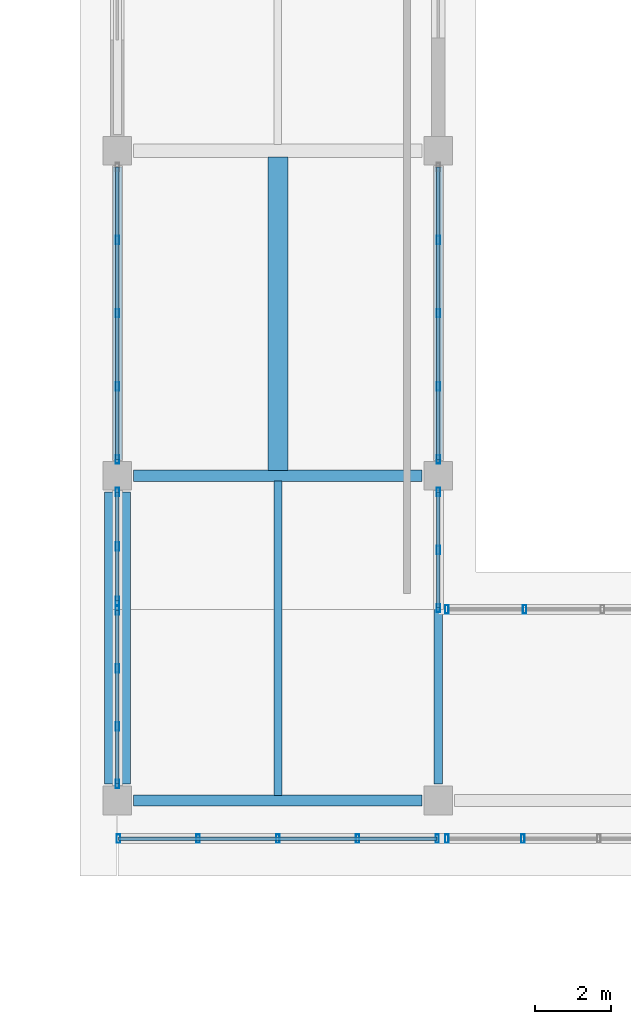
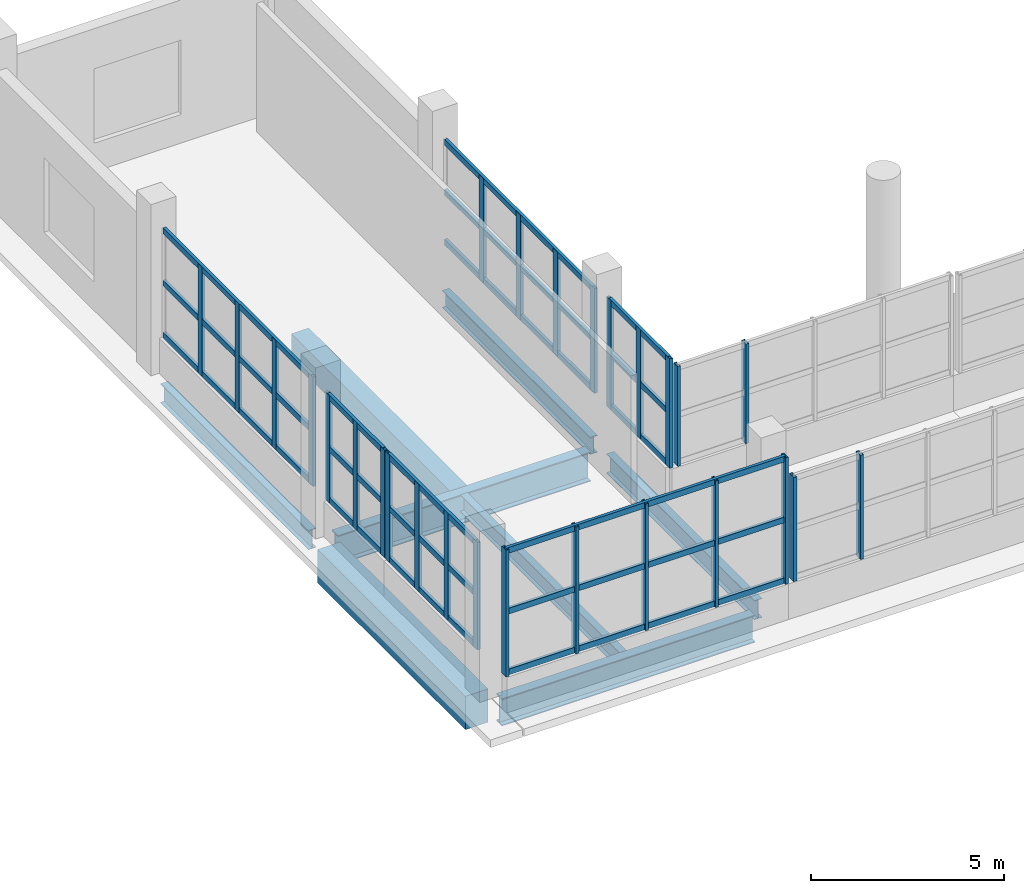
# One storey, part 44 of 107: 45 members, 8 beams, 8 elements without a shape of their own.
"""IFC4 building model written with IfcOpenShell, lengths in metres."""

import ifcopenshell
import ifcopenshell.guid

model = None  # the IFC model being written
_history = None  # IfcOwnerHistory: only IFC2X3 demands one
_inside = {}  # id of a spatial element -> (the spatial element, [elements in it])
_under = {}  # id of a project, library or spatial element -> (it, [spatial elements below it])
_declared = {}  # id of a project -> (the project, [libraries it declares])
_typed = {}  # id of a type object -> (the type object, [elements of that type])
_made_of = {}  # id of a material, layer set ... -> (it, [elements and type objects made of it])


def new_model(schema):
    """Start an empty IFC model of exactly this schema.

    Asked for "IFC4X3", IfcOpenShell would pick the latest addendum, in which some entities
    have other attributes; the version numbers below select the first issue.
    IFC2X3 requires an IfcOwnerHistory on every rooted entity: one is made here for all.
    """
    global model, _history
    if schema == "IFC4X3":
        model = ifcopenshell.file(schema_version=(4, 3, 0, 0))
    else:
        model = ifcopenshell.file(schema=schema)
    _inside.clear()
    _under.clear()
    _declared.clear()
    _typed.clear()
    _made_of.clear()
    _history = None
    if model.schema == "IFC2X3":
        org = make("IfcOrganization", Name="unknown")
        user = make(
            "IfcPersonAndOrganization",
            ThePerson=make("IfcPerson", FamilyName="unknown"),
            TheOrganization=org,
        )
        app = make(
            "IfcApplication",
            ApplicationDeveloper=org,
            Version="unknown",
            ApplicationFullName="unknown",
            ApplicationIdentifier="unknown",
        )
        _history = make(
            "IfcOwnerHistory",
            OwningUser=user,
            OwningApplication=app,
            ChangeAction="ADDED",
            CreationDate=0,
        )
    return model


def make(cls, **values):
    """One entity of the class cls with the attributes given. An attribute that is None is left unset."""
    return model.create_entity(
        cls, **{name: value for name, value in values.items() if value is not None}
    )


def rooted(cls, **values):
    """An entity with a GlobalId (a new one), such as an element, a storey or a relation."""
    return make(cls, GlobalId=ifcopenshell.guid.new(), OwnerHistory=_history, **values)


def si_unit(unit_type, name, prefix=None):
    """IfcSIUnit, for example si_unit("LENGTHUNIT", "METRE", prefix="MILLI")."""
    return make("IfcSIUnit", UnitType=unit_type, Prefix=prefix, Name=name)


def assignment(units):
    """IfcUnitAssignment: the units of a project."""
    return None if units is None else make("IfcUnitAssignment", Units=units)


def point(xyz):
    """IfcCartesianPoint."""
    return None if xyz is None else make("IfcCartesianPoint", Coordinates=xyz)


def direction(xyz):
    """IfcDirection."""
    return None if xyz is None else make("IfcDirection", DirectionRatios=xyz)


def frame(location, z_axis=None, x_axis=None):
    """IfcAxis2Placement3D, a coordinate frame: its origin and axes. An axis left out is left unset."""
    return make(
        "IfcAxis2Placement3D",
        Location=point(location),
        Axis=direction(z_axis),
        RefDirection=direction(x_axis),
    )


def frame_2d(location, x_axis=None):
    """IfcAxis2Placement2D, a coordinate frame in the plane: its origin and x axis."""
    return make(
        "IfcAxis2Placement2D", Location=point(location), RefDirection=direction(x_axis)
    )


def origin():
    """The frame at (0, 0, 0) with its axes left unset."""
    return frame((0.0, 0.0, 0.0))


def origin_2d():
    """The frame at (0, 0) in the plane with its x axis left unset."""
    return frame_2d((0.0, 0.0))


def place(relative_to, where):
    """IfcLocalPlacement: puts the frame where relative to a parent placement (None: the world)."""
    return make(
        "IfcLocalPlacement", PlacementRelTo=relative_to, RelativePlacement=where
    )


def context(
    kind, dimensions, precision=None, world=None, true_north=None, identifier=None
):
    """IfcGeometricRepresentationContext, for example the 3D "Model" context."""
    return make(
        "IfcGeometricRepresentationContext",
        ContextIdentifier=identifier,
        ContextType=kind,
        CoordinateSpaceDimension=dimensions,
        Precision=precision,
        WorldCoordinateSystem=world,
        TrueNorth=true_north,
    )


def subcontext(parent, identifier, kind, view, scale=None):
    """IfcGeometricRepresentationSubContext, for example "Body" below "Model"."""
    return make(
        "IfcGeometricRepresentationSubContext",
        ContextIdentifier=identifier,
        ContextType=kind,
        ParentContext=parent,
        TargetScale=scale,
        TargetView=view,
    )


def project(units=None, contexts=None):
    """IfcProject with its units and contexts."""
    return rooted(
        "IfcProject",
        Name="project",
        RepresentationContexts=contexts,
        UnitsInContext=assignment(units),
    )


def spatial(cls, under=None, at=None, **own):
    """A site, building, storey or space (cls), placed at a placement, below another one or the project."""
    s = rooted(cls, ObjectPlacement=at, **own)
    if under is not None:
        _under.setdefault(under.id(), (under, []))[1].append(s)
    return s


def profile(cls, at=None, kind="AREA", **sizes):
    """A parametric profile (cls). Its sizes go by their IFC names, for example OverallWidth=200.0."""
    return make(cls, ProfileType=kind, Position=at, **sizes)


def rectangle(**sizes):
    """IfcRectangleProfileDef."""
    return profile("IfcRectangleProfileDef", **sizes)


def hollow_rectangle(**sizes):
    """IfcRectangleHollowProfileDef."""
    return profile("IfcRectangleHollowProfileDef", **sizes)


def i_section(**sizes):
    """IfcIShapeProfileDef."""
    return profile("IfcIShapeProfileDef", **sizes)


def extrude(swept, where, along, depth):
    """IfcExtrudedAreaSolid: the profile swept, set in the frame where, extruded along a direction by depth."""
    return make(
        "IfcExtrudedAreaSolid",
        SweptArea=swept,
        Position=where,
        ExtrudedDirection=direction(along),
        Depth=depth,
    )


def shape(context_of_items, identifier, shape_type, items):
    """IfcShapeRepresentation: the items that make up one representation, for example the "Body"."""
    return make(
        "IfcShapeRepresentation",
        ContextOfItems=context_of_items,
        RepresentationIdentifier=identifier,
        RepresentationType=shape_type,
        Items=items,
    )


def material(Name=None, Category=None):
    """IfcMaterial."""
    return make("IfcMaterial", Name=Name, Category=Category)


def material_profile(
    of_material, cross_section, Name=None, Category=None, Priority=None
):
    """IfcMaterialProfile: a cross section and its material."""
    return make(
        "IfcMaterialProfile",
        Name=Name,
        Material=of_material,
        Profile=cross_section,
        Priority=Priority,
        Category=Category,
    )


def profile_set(profiles, Name=None, composite=None):
    """IfcMaterialProfileSet."""
    return make(
        "IfcMaterialProfileSet",
        Name=Name,
        MaterialProfiles=profiles,
        CompositeProfile=composite,
    )


def made_of(thing, what):
    """Note that an element or type object is made of a material, layer set ...; save() writes the relation."""
    if what is not None:
        _made_of.setdefault(what.id(), (what, []))[1].append(thing)
    return thing


def type_object(cls, material=None, **own):
    """A type object (cls), such as IfcWallType, which elements share."""
    return made_of(rooted(cls, **own), material)


def element(
    cls,
    number,
    at=None,
    inside=None,
    cuts=None,
    type_object=None,
    material=None,
    context=None,
    identifier="Body",
    shape_type=None,
    held_by="IfcProductDefinitionShape",
    body=None,
    shapes=None,
    **own,
):
    """One element of the class cls, such as IfcWall. Its Tag is "e" and its number.

    at: its placement. inside: the storey or other place that contains it. cuts: it is an
    opening in that element (IfcRelVoidsElement). A single representation is given by context,
    identifier, shape_type and body (its items); several are given by shapes. held_by: the class
    of the entity that holds the representations. save() writes the other relations.
    """
    e = rooted(cls, Tag="e%d" % number, ObjectPlacement=at, **own)
    if body is not None:
        shapes = [shape(context, identifier, shape_type, body)]
    if shapes is not None:
        e.Representation = make(held_by, Representations=shapes)
    if inside is not None:
        _inside.setdefault(inside.id(), (inside, []))[1].append(e)
    if cuts is not None:
        rooted(
            "IfcRelVoidsElement", RelatingBuildingElement=cuts, RelatedOpeningElement=e
        )
    if type_object is not None:
        _typed.setdefault(type_object.id(), (type_object, []))[1].append(e)
    return made_of(e, material)


def aggregate(whole, parts):
    """IfcRelAggregates: a whole, such as a stair, and the parts it consists of."""
    return rooted("IfcRelAggregates", RelatingObject=whole, RelatedObjects=parts)


def save(model, path):
    """Write the relations noted so far, then the file.

    IfcRelAggregates (storeys below a building ...), IfcRelContainedInSpatialStructure (elements
    in a storey), IfcRelDefinesByType, IfcRelAssociatesMaterial and IfcRelDeclares: one each for
    every whole, place, type object, material and project.
    """
    for whole, parts in _under.values():
        aggregate(whole, parts)
    for where, things in _inside.values():
        rooted(
            "IfcRelContainedInSpatialStructure",
            RelatedElements=things,
            RelatingStructure=where,
        )
    for kind, things in _typed.values():
        rooted("IfcRelDefinesByType", RelatedObjects=things, RelatingType=kind)
    for what, things in _made_of.values():
        rooted("IfcRelAssociatesMaterial", RelatedObjects=things, RelatingMaterial=what)
    for by, libraries in _declared.values():
        rooted("IfcRelDeclares", RelatingContext=by, RelatedDefinitions=libraries)
    model.write(path)


model = new_model("IFC4")

# Units and contexts
model_context = context("Model", 3, precision=1e-05, world=origin(), true_north=direction((0.0, 1.0)))
body_context = subcontext(model_context, "Body", "Model", "MODEL_VIEW")
ifc_project = project(units=[si_unit("LENGTHUNIT", "METRE"), si_unit("AREAUNIT", "SQUARE_METRE"), si_unit("VOLUMEUNIT", "CUBIC_METRE"), si_unit("PLANEANGLEUNIT", "RADIAN"), si_unit("MASSUNIT", "GRAM", prefix="KILO")], contexts=[model_context])

# Site, building, storey
site_placement = place(None, origin())
site = spatial("IfcSite", under=ifc_project, at=site_placement, CompositionType="ELEMENT")
building_placement = place(site_placement, origin())
building = spatial("IfcBuilding", under=site, at=building_placement, Name="Solvento Point Concert Hall", CompositionType="ELEMENT")
storey_placement = place(building_placement, origin())
storey = spatial("IfcBuildingStorey", under=building, at=storey_placement, Name="L00", CompositionType="ELEMENT", Elevation=0.0)

# Beams
ifc_material_1 = material(Name="Concrete C35/45", Category="concrete")
ifc_material_profile_1 = material_profile(ifc_material_1, rectangle(XDim=0.52001953125, YDim=0.840087890625, at=origin_2d()), Name="RC-BM-520X840")
ifc_profile_set_1 = profile_set([ifc_material_profile_1], Name="Concrete C35/45")
beam_type_1 = type_object("IfcBeamType", Name="Beam_RC_520x840", PredefinedType="BEAM", material=ifc_profile_set_1)
beam_1_placement = place(storey_placement, frame((137.39990234375, 25.638671875, -0.72412109375), z_axis=(0.0, 1.0, 0.0), x_axis=(-1.0, 0.0, 0.0)))
element("IfcBeam", 1, at=beam_1_placement, inside=storey, type_object=beam_type_1, Name="Secondary floor joist B-54 L00", PredefinedType="BEAM", context=body_context, shape_type="SweptSolid", body=[
    extrude(rectangle(XDim=0.52001953125, YDim=0.840087890625, at=origin_2d()), origin(), (0.0, 0.0, 1.0), 8.19580078125),
])
ifc_material_2 = material(Name="Structural Steel ASTM A992 Grade 50", Category="steel")
ifc_material_profile_2 = material_profile(ifc_material_2, i_section(OverallWidth=0.20947265625, OverallDepth=0.532958984375, WebThickness=0.01025390625, FlangeThickness=0.015625, at=origin_2d()), Name="W21X62")
ifc_profile_set_2 = profile_set([ifc_material_profile_2], Name="Structural Steel ASTM A992 Grade 50")
beam_type_2 = type_object("IfcBeamType", Name="Beam_W21X62", PredefinedType="BEAM", material=ifc_profile_set_2)
beam_2_placement = place(storey_placement, frame((137.39990234375, 17.131103515625, -0.570556640625), z_axis=(0.0, 1.0, 0.0), x_axis=(-1.0, 0.0, 0.0)))
element("IfcBeam", 2, at=beam_2_placement, inside=storey, type_object=beam_type_2, Name="Secondary floor joist B-25 L00", PredefinedType="BEAM", context=body_context, shape_type="SweptSolid", body=[
    extrude(i_section(OverallWidth=0.20947265625, OverallDepth=0.532958984375, WebThickness=0.01025390625, FlangeThickness=0.015625, at=origin_2d()), origin(), (0.0, 0.0, 1.0), 8.230224609375),
])
ifc_material_3 = material(Name="Structural Steel ASTM A992 Grade 50", Category="steel")
ifc_material_profile_3 = material_profile(ifc_material_3, i_section(OverallWidth=0.214111328125, OverallDepth=0.549072265625, WebThickness=0.0146484375, FlangeThickness=0.023681640625, at=origin_2d()), Name="W21X93")
ifc_profile_set_3 = profile_set([ifc_material_profile_3], Name="Structural Steel ASTM A992 Grade 50")
beam_type_3 = type_object("IfcBeamType", Name="Beam_W21X93", PredefinedType="BEAM", material=ifc_profile_set_3)
beam_3_placement = place(storey_placement, frame((141.60009765625, 25.924072265625, -0.57861328125), z_axis=(0.0, 1.0, 0.0), x_axis=(-1.0, 0.0, 0.0)))
element("IfcBeam", 3, at=beam_3_placement, inside=storey, type_object=beam_type_3, Name="Primary girder B-48 L00", PredefinedType="BEAM", context=body_context, shape_type="SweptSolid", body=[
    extrude(i_section(OverallWidth=0.214111328125, OverallDepth=0.549072265625, WebThickness=0.0146484375, FlangeThickness=0.023681640625, at=origin_2d()), origin(), (0.0, 0.0, 1.0), 7.65185546875),
])
ifc_material_4 = material(Name="Structural Steel ASTM A992 Grade 50", Category="steel")
ifc_material_profile_4 = material_profile(ifc_material_4, i_section(OverallWidth=0.228515625, OverallDepth=0.60791015625, WebThickness=0.01123046875, FlangeThickness=0.017333984375, at=origin_2d()), Name="W24X76")
ifc_profile_set_4 = profile_set([ifc_material_profile_4], Name="Structural Steel ASTM A992 Grade 50")
beam_type_4 = type_object("IfcBeamType", Name="Beam_W24X76", PredefinedType="BEAM", material=ifc_profile_set_4)
for number, where, z_axis, x_axis, name in (
    (4, (133.199951171875, 25.924072265625, -0.60791015625), (0.0, 1.0, 0.0), (-1.0, 0.0, 0.0), "Primary girder B-42 L00"),
    (5, (141.60009765625, 17.424072265625, -0.60791015625), (0.0, 1.0, 0.0), (-1.0, 0.0, 0.0), "Primary girder B-42 L00"),
):
    element("IfcBeam", number, at=place(storey_placement, frame(where, z_axis=z_axis, x_axis=x_axis)), inside=storey, type_object=beam_type_4, Name=name, PredefinedType="BEAM", context=body_context, shape_type="SweptSolid", body=[
        extrude(i_section(OverallWidth=0.228515625, OverallDepth=0.60791015625, WebThickness=0.01123046875, FlangeThickness=0.017333984375, at=origin_2d()), origin(), (0.0, 0.0, 1.0), 7.65185546875),
    ])
ifc_material_5 = material(Name="Concrete C35/45", Category="concrete")
ifc_material_profile_5 = material_profile(ifc_material_5, rectangle(XDim=0.679931640625, YDim=1.050048828125, at=origin_2d()), Name="RC-BM-680X1050")
ifc_profile_set_5 = profile_set([ifc_material_profile_5], Name="Concrete C35/45")
beam_type_5 = type_object("IfcBeamType", Name="Girder_RC_680x1050", PredefinedType="USERDEFINED", material=ifc_profile_set_5)
beam_4_placement = place(storey_placement, frame((133.199951171875, 17.424072265625, -0.8291015625), z_axis=(0.0, 1.0, 0.0), x_axis=(-1.0, 0.0, 0.0)))
element("IfcBeam", 6, at=beam_4_placement, inside=storey, type_object=beam_type_5, Name="Primary girder B-91 L00", ObjectType="GIRDER", PredefinedType="USERDEFINED", context=body_context, shape_type="SweptSolid", body=[
    extrude(rectangle(XDim=0.679931640625, YDim=1.050048828125, at=origin_2d()), origin(), (0.0, 0.0, 1.0), 7.65185546875),
])
ifc_material_6 = material(Name="Structural Steel ASTM A992 Grade 50", Category="steel")
ifc_material_profile_6 = material_profile(ifc_material_6, i_section(OverallWidth=0.2919921875, OverallDepth=0.85888671875, WebThickness=0.01708984375, FlangeThickness=0.031005859375, at=origin_2d()), Name="W33X169")
ifc_profile_set_6 = profile_set([ifc_material_profile_6], Name="Structural Steel ASTM A992 Grade 50")
beam_type_6 = type_object("IfcBeamType", Name="Girder_W33X169", PredefinedType="USERDEFINED", material=ifc_profile_set_6)
beam_5_placement = place(storey_placement, frame((133.6240234375, 17.0, -0.7333984375), z_axis=(1.0, 0.0, 0.0), x_axis=(0.0, 1.0, 0.0)))
element("IfcBeam", 7, at=beam_5_placement, inside=storey, type_object=beam_type_6, Name="Primary girder B-33 L00", ObjectType="GIRDER", PredefinedType="USERDEFINED", context=body_context, shape_type="SweptSolid", body=[
    extrude(i_section(OverallWidth=0.2919921875, OverallDepth=0.85888671875, WebThickness=0.01708984375, FlangeThickness=0.031005859375, at=origin_2d()), origin(), (0.0, 0.0, 1.0), 7.552001953125),
])
ifc_material_7 = material(Name="Structural Steel ASTM A992 Grade 50", Category="steel")
ifc_material_profile_7 = material_profile(ifc_material_7, i_section(OverallWidth=0.3076171875, OverallDepth=0.927001953125, WebThickness=0.019287109375, FlangeThickness=0.031982421875, at=origin_2d()), Name="W36X194")
ifc_profile_set_7 = profile_set([ifc_material_profile_7], Name="Structural Steel ASTM A992 Grade 50")
beam_type_7 = type_object("IfcBeamType", Name="Girder_W36X194", PredefinedType="USERDEFINED", material=ifc_profile_set_7)
beam_6_placement = place(storey_placement, frame((133.6240234375, 25.5, -0.767578125), z_axis=(1.0, 0.0, 0.0), x_axis=(0.0, 1.0, 0.0)))
element("IfcBeam", 8, at=beam_6_placement, inside=storey, type_object=beam_type_7, Name="Primary girder B-61 L00", ObjectType="GIRDER", PredefinedType="USERDEFINED", context=body_context, shape_type="SweptSolid", body=[
    extrude(i_section(OverallWidth=0.3076171875, OverallDepth=0.927001953125, WebThickness=0.019287109375, FlangeThickness=0.031982421875, at=origin_2d()), origin(), (0.0, 0.0, 1.0), 7.552001953125),
])

# Curtain wall, members
ifc_material_8 = material(Name="Anodized Bronze Aluminium", Category="aluminium")
curtain_wall_type = type_object("IfcCurtainWallType", Name="CurtainWall_CafeVeranda", PredefinedType="USERDEFINED", material=ifc_material_8)
curtain_wall_1_placement = place(storey_placement, origin())
curtain_wall_1 = element("IfcCurtainWall", 9, at=curtain_wall_1_placement, inside=storey, type_object=curtain_wall_type, Name="Unitised curtain wall CW-42 UCW-L00-036", ObjectType="UNITISED CURTAIN WALL", PredefinedType="USERDEFINED")
ifc_material_9 = material(Name="Anodized Bronze Aluminium", Category="aluminium")
ifc_material_profile_8 = material_profile(ifc_material_9, hollow_rectangle(XDim=0.090087890625, YDim=0.219970703125, WallThickness=0.00439453125, at=origin_2d()), Name="CW-MUL-90X220")
ifc_profile_set_8 = profile_set([ifc_material_profile_8], Name="Anodized Bronze Aluminium")
member_type_1 = type_object("IfcMemberType", Name="Mullion_90x220", PredefinedType="MULLION", material=ifc_profile_set_8)
member_1_placement = place(storey_placement, frame((141.60009765625, 22.030029296875, 1.1201171875), z_axis=(0.0, 0.0, 1.0), x_axis=(1.0, 0.0, 0.0)))
member_1 = element("IfcMember", 10, at=member_1_placement, type_object=member_type_1, Name="Curtain wall mullion ML-02", PredefinedType="MULLION", context=body_context, shape_type="SweptSolid", body=[
    extrude(hollow_rectangle(XDim=0.090087890625, YDim=0.219970703125, WallThickness=0.00439453125, at=origin_2d()), origin(), (0.0, 0.0, 1.0), 3.454833984375),
])
member_2_placement = place(storey_placement, frame((141.60009765625, 23.552490234375, 1.1201171875), z_axis=(0.0, 0.0, 1.0), x_axis=(1.0, 0.0, 0.0)))
member_2 = element("IfcMember", 11, at=member_2_placement, type_object=member_type_1, Name="Curtain wall mullion ML-02", PredefinedType="MULLION", context=body_context, shape_type="SweptSolid", body=[
    extrude(hollow_rectangle(XDim=0.090087890625, YDim=0.219970703125, WallThickness=0.00439453125, at=origin_2d()), origin(), (0.0, 0.0, 1.0), 3.454833984375),
])
member_3_placement = place(storey_placement, frame((141.60009765625, 25.074951171875, 1.1201171875), z_axis=(0.0, 0.0, 1.0), x_axis=(1.0, 0.0, 0.0)))
member_3 = element("IfcMember", 12, at=member_3_placement, type_object=member_type_1, Name="Curtain wall mullion ML-02", PredefinedType="MULLION", context=body_context, shape_type="SweptSolid", body=[
    extrude(hollow_rectangle(XDim=0.090087890625, YDim=0.219970703125, WallThickness=0.00439453125, at=origin_2d()), origin(), (0.0, 0.0, 1.0), 3.454833984375),
])

curtain_wall_2_placement = place(storey_placement, origin())
curtain_wall_2 = element("IfcCurtainWall", 13, at=curtain_wall_2_placement, inside=storey, type_object=curtain_wall_type, Name="Unitised curtain wall CW-42 UCW-L00-037", ObjectType="UNITISED CURTAIN WALL", PredefinedType="USERDEFINED")
member_4_placement = place(storey_placement, frame((141.60009765625, 25.925048828125, 1.1201171875), z_axis=(0.0, 0.0, 1.0), x_axis=(1.0, 0.0, 0.0)))
member_4 = element("IfcMember", 14, at=member_4_placement, type_object=member_type_1, Name="Curtain wall mullion ML-02", PredefinedType="MULLION", context=body_context, shape_type="SweptSolid", body=[
    extrude(hollow_rectangle(XDim=0.090087890625, YDim=0.219970703125, WallThickness=0.00439453125, at=origin_2d()), origin(), (0.0, 0.0, 1.0), 3.310791015625),
])
member_5_placement = place(storey_placement, frame((141.60009765625, 27.83740234375, 1.1201171875), z_axis=(0.0, 0.0, 1.0), x_axis=(1.0, 0.0, 0.0)))
member_5 = element("IfcMember", 15, at=member_5_placement, type_object=member_type_1, Name="Curtain wall mullion ML-02", PredefinedType="MULLION", context=body_context, shape_type="SweptSolid", body=[
    extrude(hollow_rectangle(XDim=0.090087890625, YDim=0.219970703125, WallThickness=0.00439453125, at=origin_2d()), origin(), (0.0, 0.0, 1.0), 3.310791015625),
])
member_6_placement = place(storey_placement, frame((141.60009765625, 29.75, 1.1201171875), z_axis=(0.0, 0.0, 1.0), x_axis=(1.0, 0.0, 0.0)))
member_6 = element("IfcMember", 16, at=member_6_placement, type_object=member_type_1, Name="Curtain wall mullion ML-02", PredefinedType="MULLION", context=body_context, shape_type="SweptSolid", body=[
    extrude(hollow_rectangle(XDim=0.090087890625, YDim=0.219970703125, WallThickness=0.00439453125, at=origin_2d()), origin(), (0.0, 0.0, 1.0), 3.310791015625),
])
member_7_placement = place(storey_placement, frame((141.60009765625, 31.66259765625, 1.1201171875), z_axis=(0.0, 0.0, 1.0), x_axis=(1.0, 0.0, 0.0)))
member_7 = element("IfcMember", 17, at=member_7_placement, type_object=member_type_1, Name="Curtain wall mullion ML-02", PredefinedType="MULLION", context=body_context, shape_type="SweptSolid", body=[
    extrude(hollow_rectangle(XDim=0.090087890625, YDim=0.219970703125, WallThickness=0.00439453125, at=origin_2d()), origin(), (0.0, 0.0, 1.0), 3.310791015625),
])

curtain_wall_3_placement = place(storey_placement, origin())
curtain_wall_3 = element("IfcCurtainWall", 18, at=curtain_wall_3_placement, inside=storey, type_object=curtain_wall_type, Name="Unitised curtain wall CW-42 UCW-L00-038", ObjectType="UNITISED CURTAIN WALL", PredefinedType="USERDEFINED")
member_8_placement = place(storey_placement, frame((141.820068359375, 22.0, 1.1201171875), z_axis=(0.0, 0.0, 1.0), x_axis=(1.0, 0.0, 0.0)))
member_8 = element("IfcMember", 19, at=member_8_placement, type_object=member_type_1, Name="Curtain wall mullion ML-02", PredefinedType="MULLION", context=body_context, shape_type="SweptSolid", body=[
    extrude(hollow_rectangle(XDim=0.090087890625, YDim=0.219970703125, WallThickness=0.00439453125, at=origin_2d()), origin(), (0.0, 0.0, 1.0), 3.15087890625),
])
member_9_placement = place(storey_placement, frame((143.857421875, 22.0, 1.1201171875), z_axis=(0.0, 0.0, 1.0), x_axis=(1.0, 0.0, 0.0)))
member_9 = element("IfcMember", 20, at=member_9_placement, type_object=member_type_1, Name="Curtain wall mullion ML-02", PredefinedType="MULLION", context=body_context, shape_type="SweptSolid", body=[
    extrude(hollow_rectangle(XDim=0.090087890625, YDim=0.219970703125, WallThickness=0.00439453125, at=origin_2d()), origin(), (0.0, 0.0, 1.0), 3.15087890625),
])
aggregate(curtain_wall_3, [member_8, member_9])

curtain_wall_4_placement = place(storey_placement, origin())
curtain_wall_4 = element("IfcCurtainWall", 21, at=curtain_wall_4_placement, inside=storey, type_object=curtain_wall_type, Name="Unitised curtain wall CW-42 UCW-L00-054", ObjectType="UNITISED CURTAIN WALL", PredefinedType="USERDEFINED")
member_10_placement = place(storey_placement, frame((133.22998046875, 16.0, 1.1201171875), z_axis=(0.0, 0.0, 1.0), x_axis=(1.0, 0.0, 0.0)))
member_10 = element("IfcMember", 22, at=member_10_placement, type_object=member_type_1, Name="Curtain wall mullion ML-02", PredefinedType="MULLION", context=body_context, shape_type="SweptSolid", body=[
    extrude(hollow_rectangle(XDim=0.090087890625, YDim=0.219970703125, WallThickness=0.00439453125, at=origin_2d()), origin(), (0.0, 0.0, 1.0), 4.0),
])
member_11_placement = place(storey_placement, frame((135.31494140625, 16.0, 1.1201171875), z_axis=(0.0, 0.0, 1.0), x_axis=(1.0, 0.0, 0.0)))
member_11 = element("IfcMember", 23, at=member_11_placement, type_object=member_type_1, Name="Curtain wall mullion ML-02", PredefinedType="MULLION", context=body_context, shape_type="SweptSolid", body=[
    extrude(hollow_rectangle(XDim=0.090087890625, YDim=0.219970703125, WallThickness=0.00439453125, at=origin_2d()), origin(), (0.0, 0.0, 1.0), 4.0),
])
member_12_placement = place(storey_placement, frame((137.39990234375, 16.0, 1.1201171875), z_axis=(0.0, 0.0, 1.0), x_axis=(1.0, 0.0, 0.0)))
member_12 = element("IfcMember", 24, at=member_12_placement, type_object=member_type_1, Name="Curtain wall mullion ML-02", PredefinedType="MULLION", context=body_context, shape_type="SweptSolid", body=[
    extrude(hollow_rectangle(XDim=0.090087890625, YDim=0.219970703125, WallThickness=0.00439453125, at=origin_2d()), origin(), (0.0, 0.0, 1.0), 4.0),
])
member_13_placement = place(storey_placement, frame((139.485107421875, 16.0, 1.1201171875), z_axis=(0.0, 0.0, 1.0), x_axis=(1.0, 0.0, 0.0)))
member_13 = element("IfcMember", 25, at=member_13_placement, type_object=member_type_1, Name="Curtain wall mullion ML-02", PredefinedType="MULLION", context=body_context, shape_type="SweptSolid", body=[
    extrude(hollow_rectangle(XDim=0.090087890625, YDim=0.219970703125, WallThickness=0.00439453125, at=origin_2d()), origin(), (0.0, 0.0, 1.0), 4.0),
])
member_14_placement = place(storey_placement, frame((141.570068359375, 16.0, 1.1201171875), z_axis=(0.0, 0.0, 1.0), x_axis=(1.0, 0.0, 0.0)))
member_14 = element("IfcMember", 26, at=member_14_placement, type_object=member_type_1, Name="Curtain wall mullion ML-02", PredefinedType="MULLION", context=body_context, shape_type="SweptSolid", body=[
    extrude(hollow_rectangle(XDim=0.090087890625, YDim=0.219970703125, WallThickness=0.00439453125, at=origin_2d()), origin(), (0.0, 0.0, 1.0), 4.0),
])

curtain_wall_5_placement = place(storey_placement, origin())
curtain_wall_5 = element("IfcCurtainWall", 27, at=curtain_wall_5_placement, inside=storey, type_object=curtain_wall_type, Name="Unitised curtain wall CW-42 UCW-L00-055", ObjectType="UNITISED CURTAIN WALL", PredefinedType="USERDEFINED")
member_15_placement = place(storey_placement, frame((141.820068359375, 16.0, 1.1201171875), z_axis=(0.0, 0.0, 1.0), x_axis=(1.0, 0.0, 0.0)))
member_15 = element("IfcMember", 28, at=member_15_placement, type_object=member_type_1, Name="Curtain wall mullion ML-02", PredefinedType="MULLION", context=body_context, shape_type="SweptSolid", body=[
    extrude(hollow_rectangle(XDim=0.090087890625, YDim=0.219970703125, WallThickness=0.00439453125, at=origin_2d()), origin(), (0.0, 0.0, 1.0), 3.294921875),
])
member_16_placement = place(storey_placement, frame((143.81005859375, 16.0, 1.1201171875), z_axis=(0.0, 0.0, 1.0), x_axis=(1.0, 0.0, 0.0)))
member_16 = element("IfcMember", 29, at=member_16_placement, type_object=member_type_1, Name="Curtain wall mullion ML-02", PredefinedType="MULLION", context=body_context, shape_type="SweptSolid", body=[
    extrude(hollow_rectangle(XDim=0.090087890625, YDim=0.219970703125, WallThickness=0.00439453125, at=origin_2d()), origin(), (0.0, 0.0, 1.0), 3.294921875),
])
aggregate(curtain_wall_5, [member_15, member_16])

curtain_wall_6_placement = place(storey_placement, origin())
curtain_wall_6 = element("IfcCurtainWall", 30, at=curtain_wall_6_placement, inside=storey, type_object=curtain_wall_type, Name="Unitised curtain wall CW-42 UCW-L00-056", ObjectType="UNITISED CURTAIN WALL", PredefinedType="USERDEFINED")
member_17_placement = place(storey_placement, frame((133.199951171875, 17.425048828125, 1.1201171875), z_axis=(0.0, 0.0, 1.0), x_axis=(1.0, 0.0, 0.0)))
member_17 = element("IfcMember", 31, at=member_17_placement, type_object=member_type_1, Name="Curtain wall mullion ML-02", PredefinedType="MULLION", context=body_context, shape_type="SweptSolid", body=[
    extrude(hollow_rectangle(XDim=0.090087890625, YDim=0.219970703125, WallThickness=0.00439453125, at=origin_2d()), origin(), (0.0, 0.0, 1.0), 3.39599609375),
])
member_18_placement = place(storey_placement, frame((133.199951171875, 18.93994140625, 1.1201171875), z_axis=(0.0, 0.0, 1.0), x_axis=(1.0, 0.0, 0.0)))
member_18 = element("IfcMember", 32, at=member_18_placement, type_object=member_type_1, Name="Curtain wall mullion ML-02", PredefinedType="MULLION", context=body_context, shape_type="SweptSolid", body=[
    extrude(hollow_rectangle(XDim=0.090087890625, YDim=0.219970703125, WallThickness=0.00439453125, at=origin_2d()), origin(), (0.0, 0.0, 1.0), 3.39599609375),
])
member_19_placement = place(storey_placement, frame((133.199951171875, 20.455078125, 1.1201171875), z_axis=(0.0, 0.0, 1.0), x_axis=(1.0, 0.0, 0.0)))
member_19 = element("IfcMember", 33, at=member_19_placement, type_object=member_type_1, Name="Curtain wall mullion ML-02", PredefinedType="MULLION", context=body_context, shape_type="SweptSolid", body=[
    extrude(hollow_rectangle(XDim=0.090087890625, YDim=0.219970703125, WallThickness=0.00439453125, at=origin_2d()), origin(), (0.0, 0.0, 1.0), 3.39599609375),
])
member_20_placement = place(storey_placement, frame((133.199951171875, 21.969970703125, 1.1201171875), z_axis=(0.0, 0.0, 1.0), x_axis=(1.0, 0.0, 0.0)))
member_20 = element("IfcMember", 34, at=member_20_placement, type_object=member_type_1, Name="Curtain wall mullion ML-02", PredefinedType="MULLION", context=body_context, shape_type="SweptSolid", body=[
    extrude(hollow_rectangle(XDim=0.090087890625, YDim=0.219970703125, WallThickness=0.00439453125, at=origin_2d()), origin(), (0.0, 0.0, 1.0), 3.39599609375),
])

curtain_wall_7_placement = place(storey_placement, origin())
curtain_wall_7 = element("IfcCurtainWall", 35, at=curtain_wall_7_placement, inside=storey, type_object=curtain_wall_type, Name="Unitised curtain wall CW-42 UCW-L00-057", ObjectType="UNITISED CURTAIN WALL", PredefinedType="USERDEFINED")
member_21_placement = place(storey_placement, frame((133.199951171875, 22.219970703125, 1.1201171875), z_axis=(0.0, 0.0, 1.0), x_axis=(1.0, 0.0, 0.0)))
member_21 = element("IfcMember", 36, at=member_21_placement, type_object=member_type_1, Name="Curtain wall mullion ML-02", PredefinedType="MULLION", context=body_context, shape_type="SweptSolid", body=[
    extrude(hollow_rectangle(XDim=0.090087890625, YDim=0.219970703125, WallThickness=0.00439453125, at=origin_2d()), origin(), (0.0, 0.0, 1.0), 3.39599609375),
])
member_22_placement = place(storey_placement, frame((133.199951171875, 23.6474609375, 1.1201171875), z_axis=(0.0, 0.0, 1.0), x_axis=(1.0, 0.0, 0.0)))
member_22 = element("IfcMember", 37, at=member_22_placement, type_object=member_type_1, Name="Curtain wall mullion ML-02", PredefinedType="MULLION", context=body_context, shape_type="SweptSolid", body=[
    extrude(hollow_rectangle(XDim=0.090087890625, YDim=0.219970703125, WallThickness=0.00439453125, at=origin_2d()), origin(), (0.0, 0.0, 1.0), 3.39599609375),
])
member_23_placement = place(storey_placement, frame((133.199951171875, 25.074951171875, 1.1201171875), z_axis=(0.0, 0.0, 1.0), x_axis=(1.0, 0.0, 0.0)))
member_23 = element("IfcMember", 38, at=member_23_placement, type_object=member_type_1, Name="Curtain wall mullion ML-02", PredefinedType="MULLION", context=body_context, shape_type="SweptSolid", body=[
    extrude(hollow_rectangle(XDim=0.090087890625, YDim=0.219970703125, WallThickness=0.00439453125, at=origin_2d()), origin(), (0.0, 0.0, 1.0), 3.39599609375),
])

curtain_wall_8_placement = place(storey_placement, origin())
curtain_wall_8 = element("IfcCurtainWall", 39, at=curtain_wall_8_placement, inside=storey, type_object=curtain_wall_type, Name="Unitised curtain wall CW-42 UCW-L00-058", ObjectType="UNITISED CURTAIN WALL", PredefinedType="USERDEFINED")
member_24_placement = place(storey_placement, frame((133.199951171875, 25.925048828125, 1.1201171875), z_axis=(0.0, 0.0, 1.0), x_axis=(1.0, 0.0, 0.0)))
member_24 = element("IfcMember", 40, at=member_24_placement, type_object=member_type_1, Name="Curtain wall mullion ML-02", PredefinedType="MULLION", context=body_context, shape_type="SweptSolid", body=[
    extrude(hollow_rectangle(XDim=0.090087890625, YDim=0.219970703125, WallThickness=0.00439453125, at=origin_2d()), origin(), (0.0, 0.0, 1.0), 3.454833984375),
])
member_25_placement = place(storey_placement, frame((133.199951171875, 27.83740234375, 1.1201171875), z_axis=(0.0, 0.0, 1.0), x_axis=(1.0, 0.0, 0.0)))
member_25 = element("IfcMember", 41, at=member_25_placement, type_object=member_type_1, Name="Curtain wall mullion ML-02", PredefinedType="MULLION", context=body_context, shape_type="SweptSolid", body=[
    extrude(hollow_rectangle(XDim=0.090087890625, YDim=0.219970703125, WallThickness=0.00439453125, at=origin_2d()), origin(), (0.0, 0.0, 1.0), 3.454833984375),
])
member_26_placement = place(storey_placement, frame((133.199951171875, 29.75, 1.1201171875), z_axis=(0.0, 0.0, 1.0), x_axis=(1.0, 0.0, 0.0)))
member_26 = element("IfcMember", 42, at=member_26_placement, type_object=member_type_1, Name="Curtain wall mullion ML-02", PredefinedType="MULLION", context=body_context, shape_type="SweptSolid", body=[
    extrude(hollow_rectangle(XDim=0.090087890625, YDim=0.219970703125, WallThickness=0.00439453125, at=origin_2d()), origin(), (0.0, 0.0, 1.0), 3.454833984375),
])
member_27_placement = place(storey_placement, frame((133.199951171875, 31.66259765625, 1.1201171875), z_axis=(0.0, 0.0, 1.0), x_axis=(1.0, 0.0, 0.0)))
member_27 = element("IfcMember", 43, at=member_27_placement, type_object=member_type_1, Name="Curtain wall mullion ML-02", PredefinedType="MULLION", context=body_context, shape_type="SweptSolid", body=[
    extrude(hollow_rectangle(XDim=0.090087890625, YDim=0.219970703125, WallThickness=0.00439453125, at=origin_2d()), origin(), (0.0, 0.0, 1.0), 3.454833984375),
])

# Member
ifc_material_10 = material(Name="Anodized Bronze Aluminium", Category="aluminium")
ifc_material_profile_9 = material_profile(ifc_material_10, hollow_rectangle(XDim=0.090087890625, YDim=0.179931640625, WallThickness=0.00439453125, at=origin_2d()), Name="CW-TRN-90X180")
ifc_profile_set_9 = profile_set([ifc_material_profile_9], Name="Anodized Bronze Aluminium")
member_type_2 = type_object("IfcMemberType", Name="Transom_90x180", PredefinedType="USERDEFINED", material=ifc_profile_set_9)
member_28_placement = place(storey_placement, frame((141.60009765625, 22.030029296875, 1.199951171875), z_axis=(0.0, 1.0, 0.0), x_axis=(-1.0, 0.0, 0.0)))
member_28 = element("IfcMember", 44, at=member_28_placement, type_object=member_type_2, Name="Curtain wall transom TR-02", ObjectType="TRANSOM", PredefinedType="USERDEFINED", context=body_context, shape_type="SweptSolid", body=[
    extrude(hollow_rectangle(XDim=0.090087890625, YDim=0.179931640625, WallThickness=0.00439453125, at=origin_2d()), origin(), (0.0, 0.0, 1.0), 3.044921875),
])

member_29_placement = place(storey_placement, frame((141.60009765625, 22.030029296875, 2.847412109375), z_axis=(0.0, 1.0, 0.0), x_axis=(-1.0, 0.0, 0.0)))
member_29 = element("IfcMember", 45, at=member_29_placement, type_object=member_type_2, Name="Curtain wall transom TR-02", ObjectType="TRANSOM", PredefinedType="USERDEFINED", context=body_context, shape_type="SweptSolid", body=[
    extrude(hollow_rectangle(XDim=0.090087890625, YDim=0.179931640625, WallThickness=0.00439453125, at=origin_2d()), origin(), (0.0, 0.0, 1.0), 3.044921875),
])

member_30_placement = place(storey_placement, frame((141.60009765625, 22.030029296875, 4.4951171875), z_axis=(0.0, 1.0, 0.0), x_axis=(-1.0, 0.0, 0.0)))
member_30 = element("IfcMember", 46, at=member_30_placement, type_object=member_type_2, Name="Curtain wall transom TR-02", ObjectType="TRANSOM", PredefinedType="USERDEFINED", context=body_context, shape_type="SweptSolid", body=[
    extrude(hollow_rectangle(XDim=0.090087890625, YDim=0.179931640625, WallThickness=0.00439453125, at=origin_2d()), origin(), (0.0, 0.0, 1.0), 3.044921875),
])

aggregate(curtain_wall_1, [member_1, member_2, member_3, member_28, member_29, member_30])

member_31_placement = place(storey_placement, frame((141.60009765625, 25.925048828125, 1.199951171875), z_axis=(0.0, 1.0, 0.0), x_axis=(-1.0, 0.0, 0.0)))
member_31 = element("IfcMember", 47, at=member_31_placement, type_object=member_type_2, Name="Curtain wall transom TR-02", ObjectType="TRANSOM", PredefinedType="USERDEFINED", context=body_context, shape_type="SweptSolid", body=[
    extrude(hollow_rectangle(XDim=0.090087890625, YDim=0.179931640625, WallThickness=0.00439453125, at=origin_2d()), origin(), (0.0, 0.0, 1.0), 7.64990234375),
])

member_32_placement = place(storey_placement, frame((141.60009765625, 25.925048828125, 2.775390625), z_axis=(0.0, 1.0, 0.0), x_axis=(-1.0, 0.0, 0.0)))
member_32 = element("IfcMember", 48, at=member_32_placement, type_object=member_type_2, Name="Curtain wall transom TR-02", ObjectType="TRANSOM", PredefinedType="USERDEFINED", context=body_context, shape_type="SweptSolid", body=[
    extrude(hollow_rectangle(XDim=0.090087890625, YDim=0.179931640625, WallThickness=0.00439453125, at=origin_2d()), origin(), (0.0, 0.0, 1.0), 7.64990234375),
])

member_33_placement = place(storey_placement, frame((141.60009765625, 25.925048828125, 4.35107421875), z_axis=(0.0, 1.0, 0.0), x_axis=(-1.0, 0.0, 0.0)))
member_33 = element("IfcMember", 49, at=member_33_placement, type_object=member_type_2, Name="Curtain wall transom TR-02", ObjectType="TRANSOM", PredefinedType="USERDEFINED", context=body_context, shape_type="SweptSolid", body=[
    extrude(hollow_rectangle(XDim=0.090087890625, YDim=0.179931640625, WallThickness=0.00439453125, at=origin_2d()), origin(), (0.0, 0.0, 1.0), 7.64990234375),
])

aggregate(curtain_wall_2, [member_4, member_5, member_6, member_7, member_31, member_32, member_33])

member_34_placement = place(storey_placement, frame((133.22998046875, 16.0, 1.199951171875), z_axis=(1.0, 0.0, 0.0), x_axis=(0.0, 1.0, 0.0)))
member_34 = element("IfcMember", 50, at=member_34_placement, type_object=member_type_2, Name="Curtain wall transom TR-02", ObjectType="TRANSOM", PredefinedType="USERDEFINED", context=body_context, shape_type="SweptSolid", body=[
    extrude(hollow_rectangle(XDim=0.090087890625, YDim=0.179931640625, WallThickness=0.00439453125, at=origin_2d()), origin(), (0.0, 0.0, 1.0), 8.340087890625),
])

member_35_placement = place(storey_placement, frame((133.22998046875, 16.0, 3.1201171875), z_axis=(1.0, 0.0, 0.0), x_axis=(0.0, 1.0, 0.0)))
member_35 = element("IfcMember", 51, at=member_35_placement, type_object=member_type_2, Name="Curtain wall transom TR-02", ObjectType="TRANSOM", PredefinedType="USERDEFINED", context=body_context, shape_type="SweptSolid", body=[
    extrude(hollow_rectangle(XDim=0.090087890625, YDim=0.179931640625, WallThickness=0.00439453125, at=origin_2d()), origin(), (0.0, 0.0, 1.0), 8.340087890625),
])

member_36_placement = place(storey_placement, frame((133.22998046875, 16.0, 5.0400390625), z_axis=(1.0, 0.0, 0.0), x_axis=(0.0, 1.0, 0.0)))
member_36 = element("IfcMember", 52, at=member_36_placement, type_object=member_type_2, Name="Curtain wall transom TR-02", ObjectType="TRANSOM", PredefinedType="USERDEFINED", context=body_context, shape_type="SweptSolid", body=[
    extrude(hollow_rectangle(XDim=0.090087890625, YDim=0.179931640625, WallThickness=0.00439453125, at=origin_2d()), origin(), (0.0, 0.0, 1.0), 8.340087890625),
])

aggregate(curtain_wall_4, [member_10, member_11, member_12, member_13, member_14, member_34, member_35, member_36])

member_37_placement = place(storey_placement, frame((133.199951171875, 17.425048828125, 1.199951171875), z_axis=(0.0, 1.0, 0.0), x_axis=(-1.0, 0.0, 0.0)))
member_37 = element("IfcMember", 53, at=member_37_placement, type_object=member_type_2, Name="Curtain wall transom TR-02", ObjectType="TRANSOM", PredefinedType="USERDEFINED", context=body_context, shape_type="SweptSolid", body=[
    extrude(hollow_rectangle(XDim=0.090087890625, YDim=0.179931640625, WallThickness=0.00439453125, at=origin_2d()), origin(), (0.0, 0.0, 1.0), 4.544921875),
])

member_38_placement = place(storey_placement, frame((133.199951171875, 17.425048828125, 2.818115234375), z_axis=(0.0, 1.0, 0.0), x_axis=(-1.0, 0.0, 0.0)))
member_38 = element("IfcMember", 54, at=member_38_placement, type_object=member_type_2, Name="Curtain wall transom TR-02", ObjectType="TRANSOM", PredefinedType="USERDEFINED", context=body_context, shape_type="SweptSolid", body=[
    extrude(hollow_rectangle(XDim=0.090087890625, YDim=0.179931640625, WallThickness=0.00439453125, at=origin_2d()), origin(), (0.0, 0.0, 1.0), 4.544921875),
])

member_39_placement = place(storey_placement, frame((133.199951171875, 17.425048828125, 4.43603515625), z_axis=(0.0, 1.0, 0.0), x_axis=(-1.0, 0.0, 0.0)))
member_39 = element("IfcMember", 55, at=member_39_placement, type_object=member_type_2, Name="Curtain wall transom TR-02", ObjectType="TRANSOM", PredefinedType="USERDEFINED", context=body_context, shape_type="SweptSolid", body=[
    extrude(hollow_rectangle(XDim=0.090087890625, YDim=0.179931640625, WallThickness=0.00439453125, at=origin_2d()), origin(), (0.0, 0.0, 1.0), 4.544921875),
])

aggregate(curtain_wall_6, [member_17, member_18, member_19, member_20, member_37, member_38, member_39])

member_40_placement = place(storey_placement, frame((133.199951171875, 22.219970703125, 1.199951171875), z_axis=(0.0, 1.0, 0.0), x_axis=(-1.0, 0.0, 0.0)))
member_40 = element("IfcMember", 56, at=member_40_placement, type_object=member_type_2, Name="Curtain wall transom TR-02", ObjectType="TRANSOM", PredefinedType="USERDEFINED", context=body_context, shape_type="SweptSolid", body=[
    extrude(hollow_rectangle(XDim=0.090087890625, YDim=0.179931640625, WallThickness=0.00439453125, at=origin_2d()), origin(), (0.0, 0.0, 1.0), 2.85498046875),
])

member_41_placement = place(storey_placement, frame((133.199951171875, 22.219970703125, 2.818115234375), z_axis=(0.0, 1.0, 0.0), x_axis=(-1.0, 0.0, 0.0)))
member_41 = element("IfcMember", 57, at=member_41_placement, type_object=member_type_2, Name="Curtain wall transom TR-02", ObjectType="TRANSOM", PredefinedType="USERDEFINED", context=body_context, shape_type="SweptSolid", body=[
    extrude(hollow_rectangle(XDim=0.090087890625, YDim=0.179931640625, WallThickness=0.00439453125, at=origin_2d()), origin(), (0.0, 0.0, 1.0), 2.85498046875),
])

member_42_placement = place(storey_placement, frame((133.199951171875, 22.219970703125, 4.43603515625), z_axis=(0.0, 1.0, 0.0), x_axis=(-1.0, 0.0, 0.0)))
member_42 = element("IfcMember", 58, at=member_42_placement, type_object=member_type_2, Name="Curtain wall transom TR-02", ObjectType="TRANSOM", PredefinedType="USERDEFINED", context=body_context, shape_type="SweptSolid", body=[
    extrude(hollow_rectangle(XDim=0.090087890625, YDim=0.179931640625, WallThickness=0.00439453125, at=origin_2d()), origin(), (0.0, 0.0, 1.0), 2.85498046875),
])

aggregate(curtain_wall_7, [member_21, member_22, member_23, member_40, member_41, member_42])

member_43_placement = place(storey_placement, frame((133.199951171875, 25.925048828125, 1.199951171875), z_axis=(0.0, 1.0, 0.0), x_axis=(-1.0, 0.0, 0.0)))
member_43 = element("IfcMember", 59, at=member_43_placement, type_object=member_type_2, Name="Curtain wall transom TR-02", ObjectType="TRANSOM", PredefinedType="USERDEFINED", context=body_context, shape_type="SweptSolid", body=[
    extrude(hollow_rectangle(XDim=0.090087890625, YDim=0.179931640625, WallThickness=0.00439453125, at=origin_2d()), origin(), (0.0, 0.0, 1.0), 7.64990234375),
])

member_44_placement = place(storey_placement, frame((133.199951171875, 25.925048828125, 2.847412109375), z_axis=(0.0, 1.0, 0.0), x_axis=(-1.0, 0.0, 0.0)))
member_44 = element("IfcMember", 60, at=member_44_placement, type_object=member_type_2, Name="Curtain wall transom TR-02", ObjectType="TRANSOM", PredefinedType="USERDEFINED", context=body_context, shape_type="SweptSolid", body=[
    extrude(hollow_rectangle(XDim=0.090087890625, YDim=0.179931640625, WallThickness=0.00439453125, at=origin_2d()), origin(), (0.0, 0.0, 1.0), 7.64990234375),
])

member_45_placement = place(storey_placement, frame((133.199951171875, 25.925048828125, 4.4951171875), z_axis=(0.0, 1.0, 0.0), x_axis=(-1.0, 0.0, 0.0)))
member_45 = element("IfcMember", 61, at=member_45_placement, type_object=member_type_2, Name="Curtain wall transom TR-02", ObjectType="TRANSOM", PredefinedType="USERDEFINED", context=body_context, shape_type="SweptSolid", body=[
    extrude(hollow_rectangle(XDim=0.090087890625, YDim=0.179931640625, WallThickness=0.00439453125, at=origin_2d()), origin(), (0.0, 0.0, 1.0), 7.64990234375),
])

aggregate(curtain_wall_8, [member_24, member_25, member_26, member_27, member_43, member_44, member_45])

save(model, "model.ifc")
